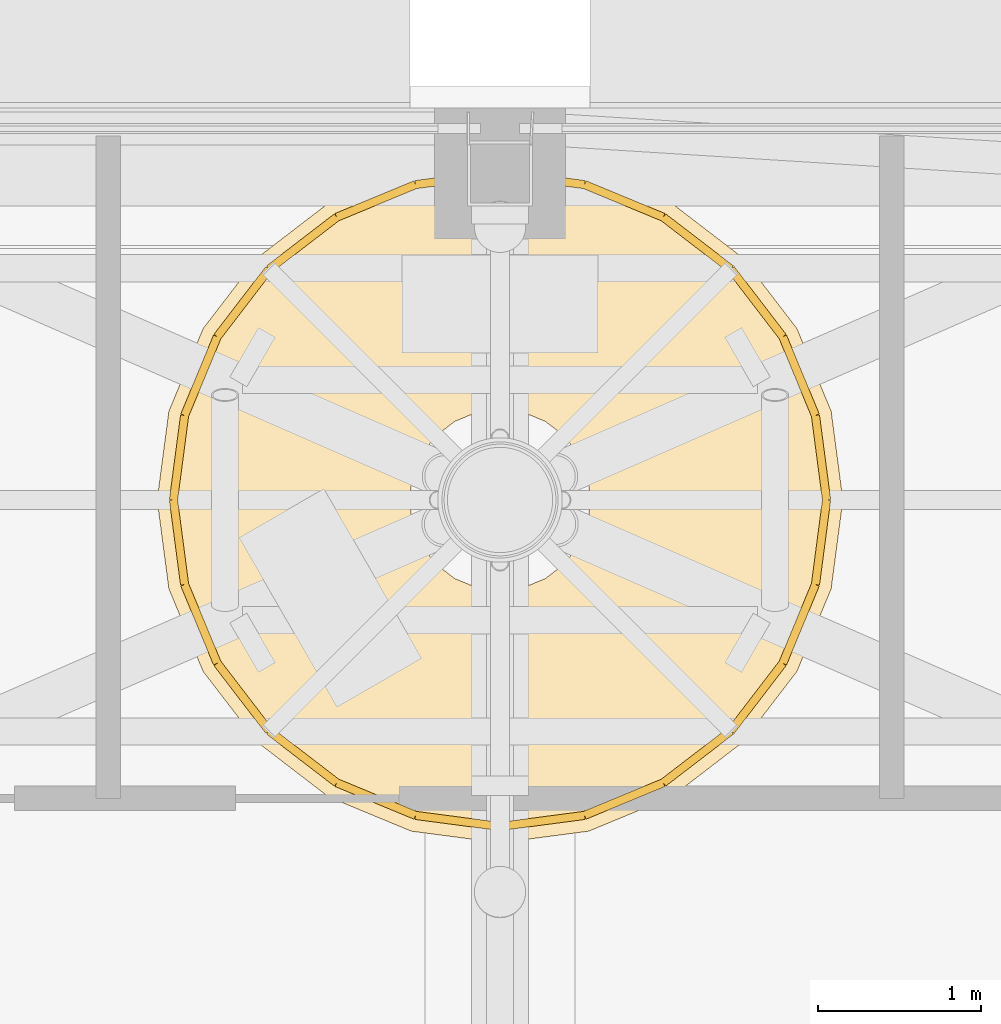
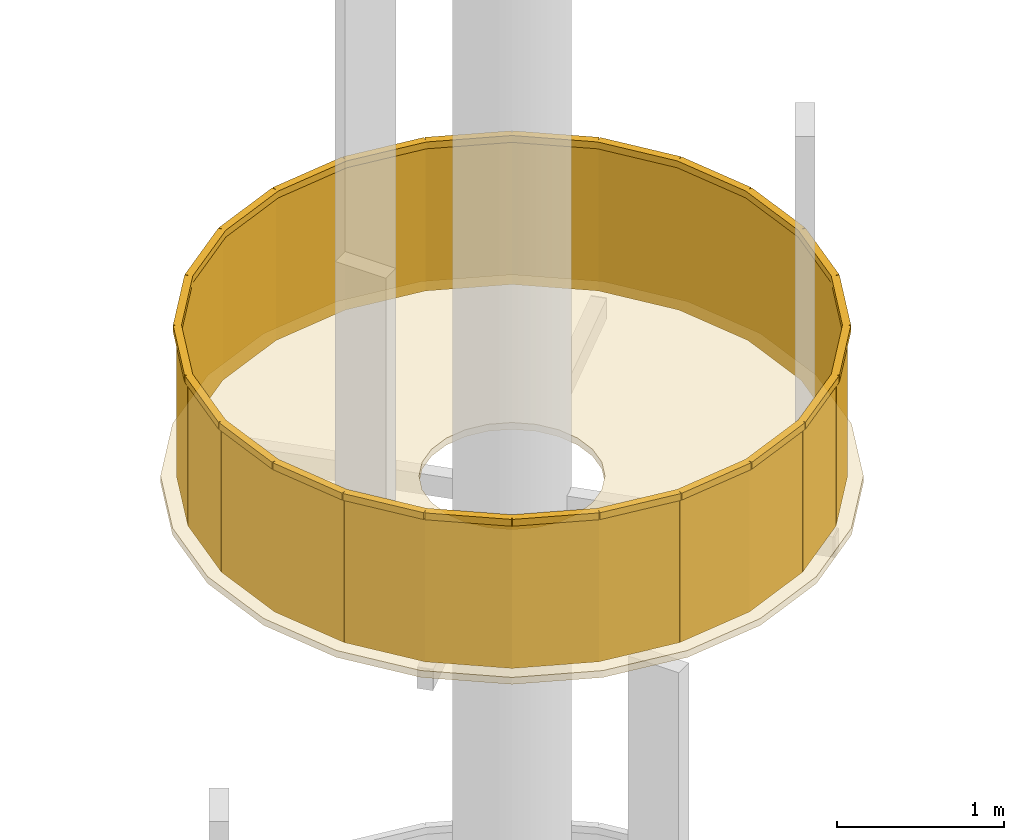
# One storey, part 25 of 25: 1 covering, 1 railing.
"""IFC4 building model written with IfcOpenShell, lengths in metres."""

import ifcopenshell
import ifcopenshell.guid

model = None  # the IFC model being written
_history = None  # IfcOwnerHistory: only IFC2X3 demands one
_inside = {}  # id of a spatial element -> (the spatial element, [elements in it])
_under = {}  # id of a project, library or spatial element -> (it, [spatial elements below it])
_declared = {}  # id of a project -> (the project, [libraries it declares])
_typed = {}  # id of a type object -> (the type object, [elements of that type])
_made_of = {}  # id of a material, layer set ... -> (it, [elements and type objects made of it])


def new_model(schema):
    """Start an empty IFC model of exactly this schema.

    Asked for "IFC4X3", IfcOpenShell would pick the latest addendum, in which some entities
    have other attributes; the version numbers below select the first issue.
    IFC2X3 requires an IfcOwnerHistory on every rooted entity: one is made here for all.
    """
    global model, _history
    if schema == "IFC4X3":
        model = ifcopenshell.file(schema_version=(4, 3, 0, 0))
    else:
        model = ifcopenshell.file(schema=schema)
    _inside.clear()
    _under.clear()
    _declared.clear()
    _typed.clear()
    _made_of.clear()
    _history = None
    if model.schema == "IFC2X3":
        org = make("IfcOrganization", Name="unknown")
        user = make(
            "IfcPersonAndOrganization",
            ThePerson=make("IfcPerson", FamilyName="unknown"),
            TheOrganization=org,
        )
        app = make(
            "IfcApplication",
            ApplicationDeveloper=org,
            Version="unknown",
            ApplicationFullName="unknown",
            ApplicationIdentifier="unknown",
        )
        _history = make(
            "IfcOwnerHistory",
            OwningUser=user,
            OwningApplication=app,
            ChangeAction="ADDED",
            CreationDate=0,
        )
    return model


def make(cls, **values):
    """One entity of the class cls with the attributes given. An attribute that is None is left unset."""
    return model.create_entity(
        cls, **{name: value for name, value in values.items() if value is not None}
    )


def rooted(cls, **values):
    """An entity with a GlobalId (a new one), such as an element, a storey or a relation."""
    return make(cls, GlobalId=ifcopenshell.guid.new(), OwnerHistory=_history, **values)


def si_unit(unit_type, name, prefix=None):
    """IfcSIUnit, for example si_unit("LENGTHUNIT", "METRE", prefix="MILLI")."""
    return make("IfcSIUnit", UnitType=unit_type, Prefix=prefix, Name=name)


def assignment(units):
    """IfcUnitAssignment: the units of a project."""
    return None if units is None else make("IfcUnitAssignment", Units=units)


def point(xyz):
    """IfcCartesianPoint."""
    return None if xyz is None else make("IfcCartesianPoint", Coordinates=xyz)


def direction(xyz):
    """IfcDirection."""
    return None if xyz is None else make("IfcDirection", DirectionRatios=xyz)


def frame(location, z_axis=None, x_axis=None):
    """IfcAxis2Placement3D, a coordinate frame: its origin and axes. An axis left out is left unset."""
    return make(
        "IfcAxis2Placement3D",
        Location=point(location),
        Axis=direction(z_axis),
        RefDirection=direction(x_axis),
    )


def frame_2d(location, x_axis=None):
    """IfcAxis2Placement2D, a coordinate frame in the plane: its origin and x axis."""
    return make(
        "IfcAxis2Placement2D", Location=point(location), RefDirection=direction(x_axis)
    )


def origin():
    """The frame at (0, 0, 0) with its axes left unset."""
    return frame((0.0, 0.0, 0.0))


def origin_2d():
    """The frame at (0, 0) in the plane with its x axis left unset."""
    return frame_2d((0.0, 0.0))


def place(relative_to, where):
    """IfcLocalPlacement: puts the frame where relative to a parent placement (None: the world)."""
    return make(
        "IfcLocalPlacement", PlacementRelTo=relative_to, RelativePlacement=where
    )


def context(
    kind, dimensions, precision=None, world=None, true_north=None, identifier=None
):
    """IfcGeometricRepresentationContext, for example the 3D "Model" context."""
    return make(
        "IfcGeometricRepresentationContext",
        ContextIdentifier=identifier,
        ContextType=kind,
        CoordinateSpaceDimension=dimensions,
        Precision=precision,
        WorldCoordinateSystem=world,
        TrueNorth=true_north,
    )


def subcontext(parent, identifier, kind, view, scale=None):
    """IfcGeometricRepresentationSubContext, for example "Body" below "Model"."""
    return make(
        "IfcGeometricRepresentationSubContext",
        ContextIdentifier=identifier,
        ContextType=kind,
        ParentContext=parent,
        TargetScale=scale,
        TargetView=view,
    )


def project(units=None, contexts=None):
    """IfcProject with its units and contexts."""
    return rooted(
        "IfcProject",
        Name="project",
        RepresentationContexts=contexts,
        UnitsInContext=assignment(units),
    )


def spatial(cls, under=None, at=None, **own):
    """A site, building, storey or space (cls), placed at a placement, below another one or the project."""
    s = rooted(cls, ObjectPlacement=at, **own)
    if under is not None:
        _under.setdefault(under.id(), (under, []))[1].append(s)
    return s


def polyline(points):
    """IfcPolyline through the points."""
    return make("IfcPolyline", Points=[point(p) for p in points])


def profile(cls, at=None, kind="AREA", **sizes):
    """A parametric profile (cls). Its sizes go by their IFC names, for example OverallWidth=200.0."""
    return make(cls, ProfileType=kind, Position=at, **sizes)


def rectangle(**sizes):
    """IfcRectangleProfileDef."""
    return profile("IfcRectangleProfileDef", **sizes)


def outline(outer, holes=None, kind="AREA"):
    """IfcArbitraryClosedProfileDef: a profile drawn as a closed curve; with holes, ...WithVoids."""
    if holes is None:
        return make("IfcArbitraryClosedProfileDef", ProfileType=kind, OuterCurve=outer)
    return make(
        "IfcArbitraryProfileDefWithVoids",
        ProfileType=kind,
        OuterCurve=outer,
        InnerCurves=holes,
    )


def extrude(swept, where, along, depth):
    """IfcExtrudedAreaSolid: the profile swept, set in the frame where, extruded along a direction by depth."""
    return make(
        "IfcExtrudedAreaSolid",
        SweptArea=swept,
        Position=where,
        ExtrudedDirection=direction(along),
        Depth=depth,
    )


def shape(context_of_items, identifier, shape_type, items):
    """IfcShapeRepresentation: the items that make up one representation, for example the "Body"."""
    return make(
        "IfcShapeRepresentation",
        ContextOfItems=context_of_items,
        RepresentationIdentifier=identifier,
        RepresentationType=shape_type,
        Items=items,
    )


def material(Name=None, Category=None):
    """IfcMaterial."""
    return make("IfcMaterial", Name=Name, Category=Category)


def layer(
    of_material, thickness, ventilated=None, Name=None, Category=None, Priority=None
):
    """IfcMaterialLayer: one layer of a wall or slab, of a material (None: an air gap)."""
    return make(
        "IfcMaterialLayer",
        Material=of_material,
        LayerThickness=thickness,
        IsVentilated=ventilated,
        Name=Name,
        Category=Category,
        Priority=Priority,
    )


def layer_set(layers, Name=None):
    """IfcMaterialLayerSet."""
    return make("IfcMaterialLayerSet", MaterialLayers=layers, LayerSetName=Name)


def made_of(thing, what):
    """Note that an element or type object is made of a material, layer set ...; save() writes the relation."""
    if what is not None:
        _made_of.setdefault(what.id(), (what, []))[1].append(thing)
    return thing


def type_object(cls, material=None, **own):
    """A type object (cls), such as IfcWallType, which elements share."""
    return made_of(rooted(cls, **own), material)


def element(
    cls,
    number,
    at=None,
    inside=None,
    cuts=None,
    type_object=None,
    material=None,
    context=None,
    identifier="Body",
    shape_type=None,
    held_by="IfcProductDefinitionShape",
    body=None,
    shapes=None,
    **own,
):
    """One element of the class cls, such as IfcWall. Its Tag is "e" and its number.

    at: its placement. inside: the storey or other place that contains it. cuts: it is an
    opening in that element (IfcRelVoidsElement). A single representation is given by context,
    identifier, shape_type and body (its items); several are given by shapes. held_by: the class
    of the entity that holds the representations. save() writes the other relations.
    """
    e = rooted(cls, Tag="e%d" % number, ObjectPlacement=at, **own)
    if body is not None:
        shapes = [shape(context, identifier, shape_type, body)]
    if shapes is not None:
        e.Representation = make(held_by, Representations=shapes)
    if inside is not None:
        _inside.setdefault(inside.id(), (inside, []))[1].append(e)
    if cuts is not None:
        rooted(
            "IfcRelVoidsElement", RelatingBuildingElement=cuts, RelatedOpeningElement=e
        )
    if type_object is not None:
        _typed.setdefault(type_object.id(), (type_object, []))[1].append(e)
    return made_of(e, material)


def aggregate(whole, parts):
    """IfcRelAggregates: a whole, such as a stair, and the parts it consists of."""
    return rooted("IfcRelAggregates", RelatingObject=whole, RelatedObjects=parts)


def save(model, path):
    """Write the relations noted so far, then the file.

    IfcRelAggregates (storeys below a building ...), IfcRelContainedInSpatialStructure (elements
    in a storey), IfcRelDefinesByType, IfcRelAssociatesMaterial and IfcRelDeclares: one each for
    every whole, place, type object, material and project.
    """
    for whole, parts in _under.values():
        aggregate(whole, parts)
    for where, things in _inside.values():
        rooted(
            "IfcRelContainedInSpatialStructure",
            RelatedElements=things,
            RelatingStructure=where,
        )
    for kind, things in _typed.values():
        rooted("IfcRelDefinesByType", RelatedObjects=things, RelatingType=kind)
    for what, things in _made_of.values():
        rooted("IfcRelAssociatesMaterial", RelatedObjects=things, RelatingMaterial=what)
    for by, libraries in _declared.values():
        rooted("IfcRelDeclares", RelatingContext=by, RelatedDefinitions=libraries)
    model.write(path)


model = new_model("IFC4")

# Units and contexts
model_context = context("Model", 3, precision=1e-05, world=origin(), true_north=direction((0.0, 1.0)))
body_context = subcontext(model_context, "Body", "Model", "MODEL_VIEW")
ifc_project = project(units=[si_unit("LENGTHUNIT", "METRE"), si_unit("AREAUNIT", "SQUARE_METRE"), si_unit("VOLUMEUNIT", "CUBIC_METRE"), si_unit("PLANEANGLEUNIT", "RADIAN"), si_unit("MASSUNIT", "GRAM", prefix="KILO")], contexts=[model_context])

# Site, building, storey
site_placement = place(None, origin())
site = spatial("IfcSite", under=ifc_project, at=site_placement, CompositionType="ELEMENT")
building_placement = place(site_placement, origin())
building = spatial("IfcBuilding", under=site, at=building_placement, Name="Kolab Exchange Tower", CompositionType="ELEMENT")
storey_placement = place(building_placement, frame((0.0, 0.0, 301.89990234375)))
storey = spatial("IfcBuildingStorey", under=building, at=storey_placement, Name="L68", CompositionType="ELEMENT", Elevation=301.89990234375)

# Railing
ifc_material_1 = material(Name="Steel S235", Category="steel")
railing_type = type_object("IfcRailingType", Name="GUARD 1100 GLASS BALUSTRADE AND STEEL TOP RAIL", PredefinedType="GUARDRAIL", material=ifc_material_1)
railing_placement = place(storey_placement, frame((2.0, 14.227783203125, 47.83056640625)))
element("IfcRailing", 1, at=railing_placement, inside=storey, type_object=railing_type, Name="Mast platform guard", PredefinedType="GUARDRAIL", context=body_context, shape_type="SweptSolid", body=[
    extrude(rectangle(XDim=0.05, YDim=0.05, at=origin_2d()), frame((0.0, 0.0, 1.0751953125), z_axis=(-0.130478707622, 0.991451111683, 0.0), x_axis=(-0.991451111683, -0.130478707622, 0.0)), (0.0, 0.0, 1.0), 0.52197265625),
    extrude(rectangle(XDim=0.012, YDim=1.05009765625, at=frame_2d((0.0, 0.525146484375))), frame((0.0, 0.0, 0.0), z_axis=(-0.130478707622, 0.991451111683, 0.0), x_axis=(-0.991451111683, -0.130478707622, 0.0)), (0.0, 0.0, 1.0), 0.52197265625),
    extrude(rectangle(XDim=0.05, YDim=0.05, at=origin_2d()), frame((-0.068115234375, 0.517578125, 1.0751953125), z_axis=(-0.382888531077, 0.923794551169, 0.0), x_axis=(-0.923794551169, -0.382888531077, 0.0)), (0.0, 0.0, 1.0), 0.522216796875),
    extrude(rectangle(XDim=0.012, YDim=1.05009765625, at=frame_2d((0.0, 0.525146484375))), frame((-0.068115234375, 0.517578125, 0.0), z_axis=(-0.382888531077, 0.923794551169, 0.0), x_axis=(-0.923794551169, -0.382888531077, 0.0)), (0.0, 0.0, 1.0), 0.522216796875),
    extrude(rectangle(XDim=0.05, YDim=0.05, at=origin_2d()), frame((-0.26806640625, 1.0, 1.0751953125), z_axis=(-0.608647594015, 0.79344067598, 0.0), x_axis=(-0.79344067598, -0.608647594015, 0.0)), (0.0, 0.0, 1.0), 0.52197265625),
    extrude(rectangle(XDim=0.012, YDim=1.05009765625, at=frame_2d((0.0, 0.525146484375))), frame((-0.26806640625, 1.0, 0.0), z_axis=(-0.608647594015, 0.79344067598, 0.0), x_axis=(-0.79344067598, -0.608647594015, 0.0)), (0.0, 0.0, 1.0), 0.52197265625),
    extrude(rectangle(XDim=0.05, YDim=0.05, at=origin_2d()), frame((-0.585693359375, 1.4140625, 1.0751953125), z_axis=(-0.793388088797, 0.608716141198, 0.0), x_axis=(-0.608716141198, -0.793388088797, 0.0)), (0.0, 0.0, 1.0), 0.522216796875),
    extrude(rectangle(XDim=0.012, YDim=1.05009765625, at=frame_2d((0.0, 0.525146484375))), frame((-0.585693359375, 1.4140625, 0.0), z_axis=(-0.793388088797, 0.608716141198, 0.0), x_axis=(-0.608716141198, -0.793388088797, 0.0)), (0.0, 0.0, 1.0), 0.522216796875),
    extrude(rectangle(XDim=0.05, YDim=0.05, at=origin_2d()), frame((-1.0, 1.73193359375, 1.0751953125), z_axis=(-0.923959856763, 0.382489454875, 0.0), x_axis=(-0.382489454875, -0.923959856763, 0.0)), (0.0, 0.0, 1.0), 0.522216796875),
    extrude(rectangle(XDim=0.012, YDim=1.05009765625, at=frame_2d((0.0, 0.525146484375))), frame((-1.0, 1.73193359375, 0.0), z_axis=(-0.923959856763, 0.382489454875, 0.0), x_axis=(-0.382489454875, -0.923959856763, 0.0)), (0.0, 0.0, 1.0), 0.522216796875),
    extrude(rectangle(XDim=0.05, YDim=0.05, at=origin_2d()), frame((-1.482421875, 1.931640625, 1.0751953125), z_axis=(-0.99139051007, 0.130938369255, 0.0), x_axis=(-0.130938369255, -0.99139051007, 0.0)), (0.0, 0.0, 1.0), 0.52197265625),
    extrude(rectangle(XDim=0.012, YDim=1.05009765625, at=frame_2d((0.0, 0.525146484375))), frame((-1.482421875, 1.931640625, 0.0), z_axis=(-0.99139051007, 0.130938369255, 0.0), x_axis=(-0.130938369255, -0.99139051007, 0.0)), (0.0, 0.0, 1.0), 0.52197265625),
    extrude(rectangle(XDim=0.05, YDim=0.05, at=origin_2d()), frame((-2.0, 2.0, 1.0751953125), z_axis=(-0.99139051007, -0.130938369255, 0.0), x_axis=(0.130938369255, -0.99139051007, 0.0)), (0.0, 0.0, 1.0), 0.52197265625),
    extrude(rectangle(XDim=0.012, YDim=1.05009765625, at=frame_2d((0.0, 0.525146484375))), frame((-2.0, 2.0, 0.0), z_axis=(-0.99139051007, -0.130938369255, 0.0), x_axis=(0.130938369255, -0.99139051007, 0.0)), (0.0, 0.0, 1.0), 0.52197265625),
    extrude(rectangle(XDim=0.05, YDim=0.05, at=origin_2d()), frame((-2.517578125, 1.931640625, 1.0751953125), z_axis=(-0.923959856763, -0.382489454875, 0.0), x_axis=(0.382489454875, -0.923959856763, 0.0)), (0.0, 0.0, 1.0), 0.522216796875),
    extrude(rectangle(XDim=0.012, YDim=1.05009765625, at=frame_2d((0.0, 0.525146484375))), frame((-2.517578125, 1.931640625, 0.0), z_axis=(-0.923959856763, -0.382489454875, 0.0), x_axis=(0.382489454875, -0.923959856763, 0.0)), (0.0, 0.0, 1.0), 0.522216796875),
    extrude(rectangle(XDim=0.05, YDim=0.05, at=origin_2d()), frame((-3.0, 1.73193359375, 1.0751953125), z_axis=(-0.793388088797, -0.608716141198, 0.0), x_axis=(0.608716141198, -0.793388088797, 0.0)), (0.0, 0.0, 1.0), 0.522216796875),
    extrude(rectangle(XDim=0.012, YDim=1.05009765625, at=frame_2d((0.0, 0.525146484375))), frame((-3.0, 1.73193359375, 0.0), z_axis=(-0.793388088797, -0.608716141198, 0.0), x_axis=(0.608716141198, -0.793388088797, 0.0)), (0.0, 0.0, 1.0), 0.522216796875),
    extrude(rectangle(XDim=0.05, YDim=0.05, at=origin_2d()), frame((-3.414306640625, 1.4140625, 1.0751953125), z_axis=(-0.608647594015, -0.79344067598, 0.0), x_axis=(0.79344067598, -0.608647594015, 0.0)), (0.0, 0.0, 1.0), 0.52197265625),
    extrude(rectangle(XDim=0.012, YDim=1.05009765625, at=frame_2d((0.0, 0.525146484375))), frame((-3.414306640625, 1.4140625, 0.0), z_axis=(-0.608647594015, -0.79344067598, 0.0), x_axis=(0.79344067598, -0.608647594015, 0.0)), (0.0, 0.0, 1.0), 0.52197265625),
    extrude(rectangle(XDim=0.05, YDim=0.05, at=origin_2d()), frame((-3.73193359375, 1.0, 1.0751953125), z_axis=(-0.382888531077, -0.923794551169, 0.0), x_axis=(0.923794551169, -0.382888531077, 0.0)), (0.0, 0.0, 1.0), 0.522216796875),
    extrude(rectangle(XDim=0.012, YDim=1.05009765625, at=frame_2d((0.0, 0.525146484375))), frame((-3.73193359375, 1.0, 0.0), z_axis=(-0.382888531077, -0.923794551169, 0.0), x_axis=(0.923794551169, -0.382888531077, 0.0)), (0.0, 0.0, 1.0), 0.522216796875),
    extrude(rectangle(XDim=0.05, YDim=0.05, at=origin_2d()), frame((-3.931884765625, 0.517578125, 1.0751953125), z_axis=(-0.130478707622, -0.991451111683, 0.0), x_axis=(0.991451111683, -0.130478707622, 0.0)), (0.0, 0.0, 1.0), 0.52197265625),
    extrude(rectangle(XDim=0.012, YDim=1.05009765625, at=frame_2d((0.0, 0.525146484375))), frame((-3.931884765625, 0.517578125, 0.0), z_axis=(-0.130478707622, -0.991451111683, 0.0), x_axis=(0.991451111683, -0.130478707622, 0.0)), (0.0, 0.0, 1.0), 0.52197265625),
    extrude(rectangle(XDim=0.05, YDim=0.05, at=origin_2d()), frame((-4.0, 0.0, 1.0751953125), z_axis=(0.130418236669, -0.991459068012, 0.0), x_axis=(0.991459068012, 0.130418236669, 0.0)), (0.0, 0.0, 1.0), 0.522216796875),
    extrude(rectangle(XDim=0.012, YDim=1.05009765625, at=frame_2d((0.0, 0.525146484375))), frame((-4.0, 0.0, 0.0), z_axis=(0.130418236669, -0.991459068012, 0.0), x_axis=(0.991459068012, 0.130418236669, 0.0)), (0.0, 0.0, 1.0), 0.522216796875),
    extrude(rectangle(XDim=0.05, YDim=0.05, at=origin_2d()), frame((-3.931884765625, -0.517822265625, 1.0751953125), z_axis=(0.38305395857, -0.923725968469, 0.0), x_axis=(0.923725968469, 0.38305395857, 0.0)), (0.0, 0.0, 1.0), 0.52197265625),
    extrude(rectangle(XDim=0.012, YDim=1.05009765625, at=frame_2d((0.0, 0.525146484375))), frame((-3.931884765625, -0.517822265625, 0.0), z_axis=(0.38305395857, -0.923725968469, 0.0), x_axis=(0.923725968469, 0.38305395857, 0.0)), (0.0, 0.0, 1.0), 0.52197265625),
    extrude(rectangle(XDim=0.05, YDim=0.05, at=origin_2d()), frame((-3.73193359375, -1.0, 1.0751953125), z_axis=(0.608421725759, -0.79361388825, 0.0), x_axis=(0.79361388825, 0.608421725759, 0.0)), (0.0, 0.0, 1.0), 0.52197265625),
    extrude(rectangle(XDim=0.012, YDim=1.05009765625, at=frame_2d((0.0, 0.525146484375))), frame((-3.73193359375, -1.0, 0.0), z_axis=(0.608421725759, -0.79361388825, 0.0), x_axis=(0.79361388825, 0.608421725759, 0.0)), (0.0, 0.0, 1.0), 0.52197265625),
    extrude(rectangle(XDim=0.05, YDim=0.05, at=origin_2d()), frame((-3.414306640625, -1.414306640625, 1.0751953125), z_axis=(0.793388088797, -0.608716141198, 0.0), x_axis=(0.608716141198, 0.793388088797, 0.0)), (0.0, 0.0, 1.0), 0.522216796875),
    extrude(rectangle(XDim=0.012, YDim=1.05009765625, at=frame_2d((0.0, 0.525146484375))), frame((-3.414306640625, -1.414306640625, 0.0), z_axis=(0.793388088797, -0.608716141198, 0.0), x_axis=(0.608716141198, 0.793388088797, 0.0)), (0.0, 0.0, 1.0), 0.522216796875),
    extrude(rectangle(XDim=0.05, YDim=0.05, at=origin_2d()), frame((-3.0, -1.732177734375, 1.0751953125), z_axis=(0.923959856763, -0.382489454875, 0.0), x_axis=(0.382489454875, 0.923959856763, 0.0)), (0.0, 0.0, 1.0), 0.522216796875),
    extrude(rectangle(XDim=0.012, YDim=1.05009765625, at=frame_2d((0.0, 0.525146484375))), frame((-3.0, -1.732177734375, 0.0), z_axis=(0.923959856763, -0.382489454875, 0.0), x_axis=(0.382489454875, 0.923959856763, 0.0)), (0.0, 0.0, 1.0), 0.522216796875),
    extrude(rectangle(XDim=0.05, YDim=0.05, at=origin_2d()), frame((-2.517578125, -1.931884765625, 1.0751953125), z_axis=(0.991451111683, -0.130478707622, 0.0), x_axis=(0.130478707622, 0.991451111683, 0.0)), (0.0, 0.0, 1.0), 0.52197265625),
    extrude(rectangle(XDim=0.012, YDim=1.05009765625, at=frame_2d((0.0, 0.525146484375))), frame((-2.517578125, -1.931884765625, 0.0), z_axis=(0.991451111683, -0.130478707622, 0.0), x_axis=(0.130478707622, 0.991451111683, 0.0)), (0.0, 0.0, 1.0), 0.52197265625),
    extrude(rectangle(XDim=0.05, YDim=0.05, at=origin_2d()), frame((-2.0, -2.0, 1.0751953125), z_axis=(0.991451111683, 0.130478707622, 0.0), x_axis=(-0.130478707622, 0.991451111683, 0.0)), (0.0, 0.0, 1.0), 0.52197265625),
    extrude(rectangle(XDim=0.012, YDim=1.05009765625, at=frame_2d((0.0, 0.525146484375))), frame((-2.0, -2.0, 0.0), z_axis=(0.991451111683, 0.130478707622, 0.0), x_axis=(-0.130478707622, 0.991451111683, 0.0)), (0.0, 0.0, 1.0), 0.52197265625),
    extrude(rectangle(XDim=0.05, YDim=0.05, at=origin_2d()), frame((-1.482421875, -1.931884765625, 1.0751953125), z_axis=(0.923959856763, 0.382489454875, 0.0), x_axis=(-0.382489454875, 0.923959856763, 0.0)), (0.0, 0.0, 1.0), 0.522216796875),
    extrude(rectangle(XDim=0.012, YDim=1.05009765625, at=frame_2d((0.0, 0.525146484375))), frame((-1.482421875, -1.931884765625, 0.0), z_axis=(0.923959856763, 0.382489454875, 0.0), x_axis=(-0.382489454875, 0.923959856763, 0.0)), (0.0, 0.0, 1.0), 0.522216796875),
    extrude(rectangle(XDim=0.05, YDim=0.05, at=origin_2d()), frame((-1.0, -1.732177734375, 1.0751953125), z_axis=(0.793388088797, 0.608716141198, 0.0), x_axis=(-0.608716141198, 0.793388088797, 0.0)), (0.0, 0.0, 1.0), 0.522216796875),
    extrude(rectangle(XDim=0.012, YDim=1.05009765625, at=frame_2d((0.0, 0.525146484375))), frame((-1.0, -1.732177734375, 0.0), z_axis=(0.793388088797, 0.608716141198, 0.0), x_axis=(-0.608716141198, 0.793388088797, 0.0)), (0.0, 0.0, 1.0), 0.522216796875),
    extrude(rectangle(XDim=0.05, YDim=0.05, at=origin_2d()), frame((-0.585693359375, -1.414306640625, 1.0751953125), z_axis=(0.608421725759, 0.79361388825, 0.0), x_axis=(-0.79361388825, 0.608421725759, 0.0)), (0.0, 0.0, 1.0), 0.52197265625),
    extrude(rectangle(XDim=0.012, YDim=1.05009765625, at=frame_2d((0.0, 0.525146484375))), frame((-0.585693359375, -1.414306640625, 0.0), z_axis=(0.608421725759, 0.79361388825, 0.0), x_axis=(-0.79361388825, 0.608421725759, 0.0)), (0.0, 0.0, 1.0), 0.52197265625),
    extrude(rectangle(XDim=0.05, YDim=0.05, at=origin_2d()), frame((-0.26806640625, -1.0, 1.0751953125), z_axis=(0.38305395857, 0.923725968469, 0.0), x_axis=(-0.923725968469, 0.38305395857, 0.0)), (0.0, 0.0, 1.0), 0.52197265625),
    extrude(rectangle(XDim=0.012, YDim=1.05009765625, at=frame_2d((0.0, 0.525146484375))), frame((-0.26806640625, -1.0, 0.0), z_axis=(0.38305395857, 0.923725968469, 0.0), x_axis=(-0.923725968469, 0.38305395857, 0.0)), (0.0, 0.0, 1.0), 0.52197265625),
    extrude(rectangle(XDim=0.05, YDim=0.05, at=origin_2d()), frame((-0.068115234375, -0.517822265625, 1.0751953125), z_axis=(0.130418236669, 0.991459068012, 0.0), x_axis=(-0.991459068012, 0.130418236669, 0.0)), (0.0, 0.0, 1.0), 0.522216796875),
    extrude(rectangle(XDim=0.012, YDim=1.05009765625, at=frame_2d((0.0, 0.525146484375))), frame((-0.068115234375, -0.517822265625, 0.0), z_axis=(0.130418236669, 0.991459068012, 0.0), x_axis=(-0.991459068012, 0.130418236669, 0.0)), (0.0, 0.0, 1.0), 0.522216796875),
])

# Covering
ifc_material_2 = material(Name="Steel S355", Category="steel")
ifc_layer = layer(ifc_material_2, 0.050048828125)
ifc_layer_set = layer_set([ifc_layer], Name="Steel S355")
covering_type = type_object("IfcCoveringType", Name="MAST PLATFORM GRATING DECK 50", PredefinedType="FLOORING", material=ifc_layer_set)
covering_placement = place(storey_placement, frame((0.0, 0.0, 47.78076171875)))
element("IfcCovering", 2, at=covering_placement, inside=storey, type_object=covering_type, Name="Mast platform deck", PredefinedType="FLOORING", context=body_context, shape_type="SweptSolid", body=[
    extrude(outline(polyline([(2.10009765625, 14.227783203125), (2.0283203125, 14.771240234375), (1.818603515625, 15.277587890625), (1.48486328125, 15.712646484375), (1.050048828125, 16.04638671875), (0.54345703125, 16.256103515625), (0.0, 16.32763671875), (-0.54345703125, 16.256103515625), (-1.050048828125, 16.04638671875), (-1.48486328125, 15.712646484375), (-1.818603515625, 15.277587890625), (-2.0283203125, 14.771240234375), (-2.10009765625, 14.227783203125), (-2.0283203125, 13.68408203125), (-1.818603515625, 13.177734375), (-1.48486328125, 12.742919921875), (-1.050048828125, 12.408935546875), (-0.54345703125, 12.19921875), (0.0, 12.127685546875), (0.54345703125, 12.19921875), (1.050048828125, 12.408935546875), (1.48486328125, 12.742919921875), (1.818603515625, 13.177734375), (2.0283203125, 13.68408203125), (2.10009765625, 14.227783203125)]), holes=[polyline([(0.555419921875, 14.227783203125), (0.53662109375, 14.37158203125), (0.481201171875, 14.50537109375), (0.392822265625, 14.62060546875), (0.27783203125, 14.708740234375), (0.143798828125, 14.764404296875), (0.0, 14.783203125), (-0.143798828125, 14.764404296875), (-0.277587890625, 14.708740234375), (-0.392822265625, 14.62060546875), (-0.481201171875, 14.50537109375), (-0.53662109375, 14.37158203125), (-0.555419921875, 14.227783203125), (-0.53662109375, 14.083984375), (-0.481201171875, 13.949951171875), (-0.392822265625, 13.8349609375), (-0.27783203125, 13.74658203125), (-0.143798828125, 13.691162109375), (0.0, 13.672119140625), (0.143798828125, 13.691162109375), (0.27783203125, 13.74658203125), (0.392822265625, 13.8349609375), (0.481201171875, 13.949951171875), (0.53662109375, 14.083984375), (0.555419921875, 14.227783203125)])]), origin(), (0.0, 0.0, 1.0), 0.050048828125),
])

save(model, "model.ifc")
